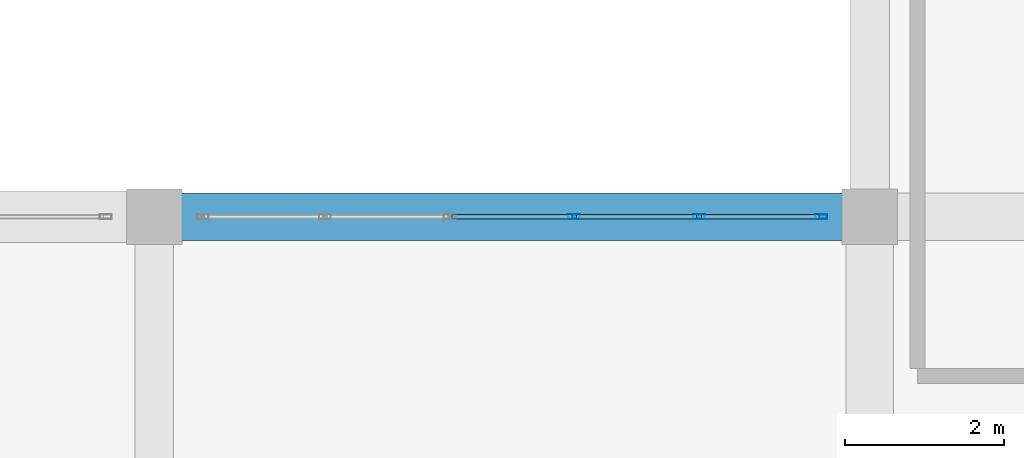
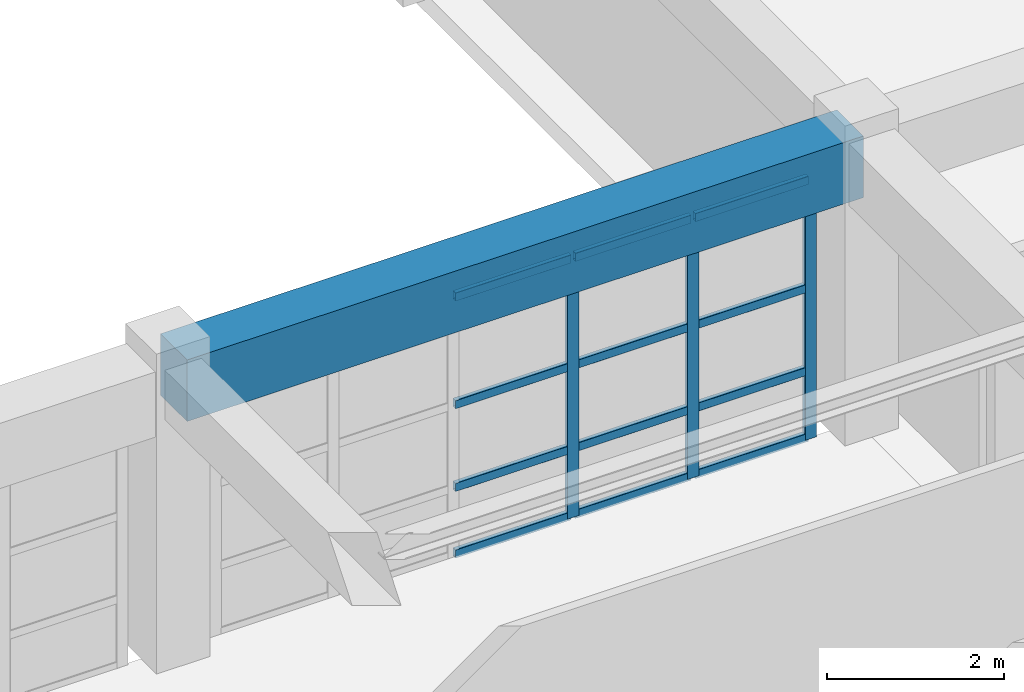
# One storey, part 84 of 133: 15 members, 1 beam, 1 element without a shape of its own.
"""IFC4 building model written with IfcOpenShell, lengths in metres."""

from ifc_helpers import new_model, si_unit, direction, frame, origin, origin_2d, place, context, subcontext, project, spatial, rectangle, hollow_rectangle, extrude, material, material_profile, profile_set, type_object, element, aggregate, save


model = new_model("IFC4")

# Units and contexts
model_context = context("Model", 3, precision=1e-05, world=origin(), true_north=direction((0.0, 1.0)))
body_context = subcontext(model_context, "Body", "Model", "MODEL_VIEW")
ifc_project = project(units=[si_unit("LENGTHUNIT", "METRE"), si_unit("AREAUNIT", "SQUARE_METRE"), si_unit("VOLUMEUNIT", "CUBIC_METRE"), si_unit("PLANEANGLEUNIT", "RADIAN"), si_unit("MASSUNIT", "GRAM", prefix="KILO")], contexts=[model_context])

# Site, building, storey
site_placement = place(None, origin())
site = spatial("IfcSite", under=ifc_project, at=site_placement, CompositionType="ELEMENT")
building_placement = place(site_placement, origin())
building = spatial("IfcBuilding", under=site, at=building_placement, Name="Miravela Opera House", CompositionType="ELEMENT")
storey_placement = place(building_placement, frame((0.0, 0.0, 5.10009765625)))
storey = spatial("IfcBuildingStorey", under=building, at=storey_placement, Name="L01", CompositionType="ELEMENT", Elevation=5.10009765625)

# Curtain wall, members
ifc_material_1 = material(Name="Anodised architectural bronze aluminium 6063-T6", Category="aluminium")
curtain_wall_type = type_object("IfcCurtainWallType", Name="ARC-CW-05", PredefinedType="NOTDEFINED", material=ifc_material_1)
curtain_wall_placement = place(storey_placement, origin())
curtain_wall = element("IfcCurtainWall", 1, at=curtain_wall_placement, inside=storey, type_object=curtain_wall_type, Name="Courtyard Arcade Curtain Wall CW-L01-176", PredefinedType="NOTDEFINED")
ifc_material_profile_1 = material_profile(ifc_material_1, hollow_rectangle(XDim=0.06005859375, YDim=0.14990234375, WallThickness=0.00390625, InnerFilletRadius=0.001953125, OuterFilletRadius=0.00390625, at=origin_2d()), Name="CWM-60X150")
ifc_profile_set_1 = profile_set([ifc_material_profile_1])
member_type_1 = type_object("IfcMemberType", Name="ARC-CWM-150", PredefinedType="MULLION", material=ifc_profile_set_1)
member_1_placement = place(storey_placement, frame((140.283935546875, 84.0, 0.0), z_axis=(0.0, 0.0, 1.0), x_axis=(0.0, 1.0, 0.0)))
member_1 = element("IfcMember", 2, at=member_1_placement, type_object=member_type_1, Name="CW-05 mullion 4", PredefinedType="MULLION", context=body_context, shape_type="SweptSolid", body=[
    extrude(hollow_rectangle(XDim=0.06005859375, YDim=0.14990234375, WallThickness=0.00390625, InnerFilletRadius=0.001953125, OuterFilletRadius=0.00390625, at=origin_2d()), origin(), (0.0, 0.0, 1.0), 3.60986328125),
])
member_2_placement = place(storey_placement, frame((141.85205078125, 84.0, 0.0), z_axis=(0.0, 0.0, 1.0), x_axis=(0.0, 1.0, 0.0)))
member_2 = element("IfcMember", 3, at=member_2_placement, type_object=member_type_1, Name="CW-05 mullion 5", PredefinedType="MULLION", context=body_context, shape_type="SweptSolid", body=[
    extrude(hollow_rectangle(XDim=0.06005859375, YDim=0.14990234375, WallThickness=0.00390625, InnerFilletRadius=0.001953125, OuterFilletRadius=0.00390625, at=origin_2d()), origin(), (0.0, 0.0, 1.0), 3.60986328125),
])
member_3_placement = place(storey_placement, frame((143.389892578125, 84.0, 0.0), z_axis=(0.0, 0.0, 1.0), x_axis=(0.0, 1.0, 0.0)))
member_3 = element("IfcMember", 4, at=member_3_placement, type_object=member_type_1, Name="CW-05 mullion 6", PredefinedType="MULLION", context=body_context, shape_type="SweptSolid", body=[
    extrude(hollow_rectangle(XDim=0.06005859375, YDim=0.14990234375, WallThickness=0.00390625, InnerFilletRadius=0.001953125, OuterFilletRadius=0.00390625, at=origin_2d()), origin(), (0.0, 0.0, 1.0), 3.60986328125),
])
ifc_material_profile_2 = material_profile(ifc_material_1, hollow_rectangle(XDim=0.06005859375, YDim=0.114990234375, WallThickness=0.00390625, InnerFilletRadius=0.001953125, OuterFilletRadius=0.00390625, at=origin_2d()), Name="CWT-60X115")
ifc_profile_set_2 = profile_set([ifc_material_profile_2])
member_type_2 = type_object("IfcMemberType", Name="ARC-CWT-115", PredefinedType="USERDEFINED", material=ifc_profile_set_2)
member_4_placement = place(storey_placement, frame((138.74609375, 84.0, 0.02978515625), z_axis=(1.0, 0.0, 0.0), x_axis=(0.0, 1.0, 0.0)))
member_4 = element("IfcMember", 5, at=member_4_placement, type_object=member_type_2, Name="CW-05 transom 3.1", ObjectType="TRANSOM", PredefinedType="USERDEFINED", context=body_context, shape_type="SweptSolid", body=[
    extrude(hollow_rectangle(XDim=0.06005859375, YDim=0.114990234375, WallThickness=0.00390625, InnerFilletRadius=0.001953125, OuterFilletRadius=0.00390625, at=origin_2d()), origin(), (0.0, 0.0, 1.0), 1.5078125),
])
member_5_placement = place(storey_placement, frame((138.74609375, 84.0, 0.949951171875), z_axis=(1.0, 0.0, 0.0), x_axis=(0.0, 1.0, 0.0)))
member_5 = element("IfcMember", 6, at=member_5_placement, type_object=member_type_2, Name="CW-05 transom 3.2", ObjectType="TRANSOM", PredefinedType="USERDEFINED", context=body_context, shape_type="SweptSolid", body=[
    extrude(hollow_rectangle(XDim=0.06005859375, YDim=0.114990234375, WallThickness=0.00390625, InnerFilletRadius=0.001953125, OuterFilletRadius=0.00390625, at=origin_2d()), origin(), (0.0, 0.0, 1.0), 1.5078125),
])
member_6_placement = place(storey_placement, frame((138.74609375, 84.0, 2.09375), z_axis=(1.0, 0.0, 0.0), x_axis=(0.0, 1.0, 0.0)))
member_6 = element("IfcMember", 7, at=member_6_placement, type_object=member_type_2, Name="CW-05 transom 3.3", ObjectType="TRANSOM", PredefinedType="USERDEFINED", context=body_context, shape_type="SweptSolid", body=[
    extrude(hollow_rectangle(XDim=0.06005859375, YDim=0.114990234375, WallThickness=0.00390625, InnerFilletRadius=0.001953125, OuterFilletRadius=0.00390625, at=origin_2d()), origin(), (0.0, 0.0, 1.0), 1.5078125),
])
member_7_placement = place(storey_placement, frame((138.74609375, 84.0, 3.579833984375), z_axis=(1.0, 0.0, 0.0), x_axis=(0.0, 1.0, 0.0)))
member_7 = element("IfcMember", 8, at=member_7_placement, type_object=member_type_2, Name="CW-05 transom 3.4", ObjectType="TRANSOM", PredefinedType="USERDEFINED", context=body_context, shape_type="SweptSolid", body=[
    extrude(hollow_rectangle(XDim=0.06005859375, YDim=0.114990234375, WallThickness=0.00390625, InnerFilletRadius=0.001953125, OuterFilletRadius=0.00390625, at=origin_2d()), origin(), (0.0, 0.0, 1.0), 1.5078125),
])
member_8_placement = place(storey_placement, frame((140.31396484375, 84.0, 0.02978515625), z_axis=(1.0, 0.0, 0.0), x_axis=(0.0, 1.0, 0.0)))
member_8 = element("IfcMember", 9, at=member_8_placement, type_object=member_type_2, Name="CW-05 transom 4.1", ObjectType="TRANSOM", PredefinedType="USERDEFINED", context=body_context, shape_type="SweptSolid", body=[
    extrude(hollow_rectangle(XDim=0.06005859375, YDim=0.114990234375, WallThickness=0.00390625, InnerFilletRadius=0.001953125, OuterFilletRadius=0.00390625, at=origin_2d()), origin(), (0.0, 0.0, 1.0), 1.508056640625),
])
member_9_placement = place(storey_placement, frame((140.31396484375, 84.0, 0.949951171875), z_axis=(1.0, 0.0, 0.0), x_axis=(0.0, 1.0, 0.0)))
member_9 = element("IfcMember", 10, at=member_9_placement, type_object=member_type_2, Name="CW-05 transom 4.2", ObjectType="TRANSOM", PredefinedType="USERDEFINED", context=body_context, shape_type="SweptSolid", body=[
    extrude(hollow_rectangle(XDim=0.06005859375, YDim=0.114990234375, WallThickness=0.00390625, InnerFilletRadius=0.001953125, OuterFilletRadius=0.00390625, at=origin_2d()), origin(), (0.0, 0.0, 1.0), 1.508056640625),
])
member_10_placement = place(storey_placement, frame((140.31396484375, 84.0, 2.09375), z_axis=(1.0, 0.0, 0.0), x_axis=(0.0, 1.0, 0.0)))
member_10 = element("IfcMember", 11, at=member_10_placement, type_object=member_type_2, Name="CW-05 transom 4.3", ObjectType="TRANSOM", PredefinedType="USERDEFINED", context=body_context, shape_type="SweptSolid", body=[
    extrude(hollow_rectangle(XDim=0.06005859375, YDim=0.114990234375, WallThickness=0.00390625, InnerFilletRadius=0.001953125, OuterFilletRadius=0.00390625, at=origin_2d()), origin(), (0.0, 0.0, 1.0), 1.508056640625),
])
member_11_placement = place(storey_placement, frame((140.31396484375, 84.0, 3.579833984375), z_axis=(1.0, 0.0, 0.0), x_axis=(0.0, 1.0, 0.0)))
member_11 = element("IfcMember", 12, at=member_11_placement, type_object=member_type_2, Name="CW-05 transom 4.4", ObjectType="TRANSOM", PredefinedType="USERDEFINED", context=body_context, shape_type="SweptSolid", body=[
    extrude(hollow_rectangle(XDim=0.06005859375, YDim=0.114990234375, WallThickness=0.00390625, InnerFilletRadius=0.001953125, OuterFilletRadius=0.00390625, at=origin_2d()), origin(), (0.0, 0.0, 1.0), 1.508056640625),
])
member_12_placement = place(storey_placement, frame((141.882080078125, 84.0, 0.02978515625), z_axis=(1.0, 0.0, 0.0), x_axis=(0.0, 1.0, 0.0)))
member_12 = element("IfcMember", 13, at=member_12_placement, type_object=member_type_2, Name="CW-05 transom 5.1", ObjectType="TRANSOM", PredefinedType="USERDEFINED", context=body_context, shape_type="SweptSolid", body=[
    extrude(hollow_rectangle(XDim=0.06005859375, YDim=0.114990234375, WallThickness=0.00390625, InnerFilletRadius=0.001953125, OuterFilletRadius=0.00390625, at=origin_2d()), origin(), (0.0, 0.0, 1.0), 1.47802734375),
])
member_13_placement = place(storey_placement, frame((141.882080078125, 84.0, 0.949951171875), z_axis=(1.0, 0.0, 0.0), x_axis=(0.0, 1.0, 0.0)))
member_13 = element("IfcMember", 14, at=member_13_placement, type_object=member_type_2, Name="CW-05 transom 5.2", ObjectType="TRANSOM", PredefinedType="USERDEFINED", context=body_context, shape_type="SweptSolid", body=[
    extrude(hollow_rectangle(XDim=0.06005859375, YDim=0.114990234375, WallThickness=0.00390625, InnerFilletRadius=0.001953125, OuterFilletRadius=0.00390625, at=origin_2d()), origin(), (0.0, 0.0, 1.0), 1.47802734375),
])
member_14_placement = place(storey_placement, frame((141.882080078125, 84.0, 2.09375), z_axis=(1.0, 0.0, 0.0), x_axis=(0.0, 1.0, 0.0)))
member_14 = element("IfcMember", 15, at=member_14_placement, type_object=member_type_2, Name="CW-05 transom 5.3", ObjectType="TRANSOM", PredefinedType="USERDEFINED", context=body_context, shape_type="SweptSolid", body=[
    extrude(hollow_rectangle(XDim=0.06005859375, YDim=0.114990234375, WallThickness=0.00390625, InnerFilletRadius=0.001953125, OuterFilletRadius=0.00390625, at=origin_2d()), origin(), (0.0, 0.0, 1.0), 1.47802734375),
])
member_15_placement = place(storey_placement, frame((141.882080078125, 84.0, 3.579833984375), z_axis=(1.0, 0.0, 0.0), x_axis=(0.0, 1.0, 0.0)))
member_15 = element("IfcMember", 16, at=member_15_placement, type_object=member_type_2, Name="CW-05 transom 5.4", ObjectType="TRANSOM", PredefinedType="USERDEFINED", context=body_context, shape_type="SweptSolid", body=[
    extrude(hollow_rectangle(XDim=0.06005859375, YDim=0.114990234375, WallThickness=0.00390625, InnerFilletRadius=0.001953125, OuterFilletRadius=0.00390625, at=origin_2d()), origin(), (0.0, 0.0, 1.0), 1.47802734375),
])
aggregate(curtain_wall, [member_1, member_2, member_3, member_4, member_5, member_6, member_7, member_8, member_9, member_10, member_11, member_12, member_13, member_14, member_15])

# Beam
ifc_material_2 = material(Name="Concrete C40/50", Category="concrete")
ifc_material_profile_3 = material_profile(ifc_material_2, rectangle(XDim=0.60009765625, YDim=0.85009765625, at=origin_2d()), Name="RC-BM-600X850")
ifc_profile_set_3 = profile_set([ifc_material_profile_3])
beam_type = type_object("IfcBeamType", Name="STR-BM-RC600X850", PredefinedType="BEAM", material=ifc_profile_set_3)
beam_placement = place(storey_placement, frame((135.080078125, 84.0, 3.73486328125), z_axis=(1.0, 0.0, 0.0), x_axis=(0.0, 1.0, 0.0)))
element("IfcBeam", 17, at=beam_placement, inside=storey, type_object=beam_type, Name="Floor Girder L01 16-17/J", PredefinedType="BEAM", context=body_context, shape_type="SweptSolid", body=[
    extrude(rectangle(XDim=0.60009765625, YDim=0.85009765625, at=origin_2d()), origin(), (0.0, 0.0, 1.0), 8.83984375),
])

save(model, "model.ifc")
